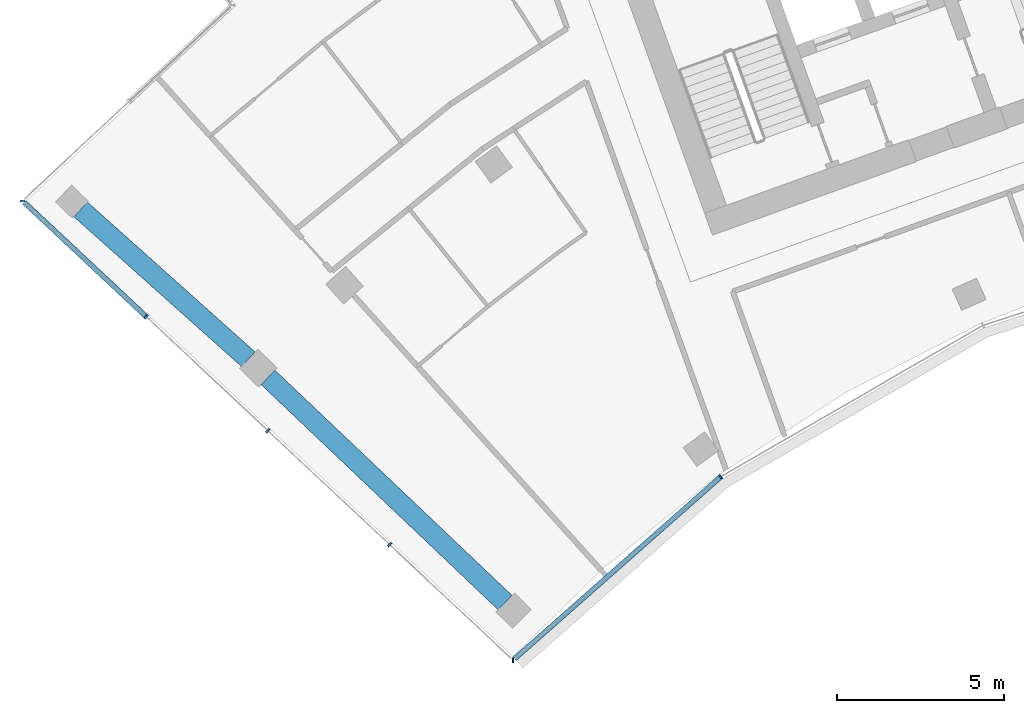
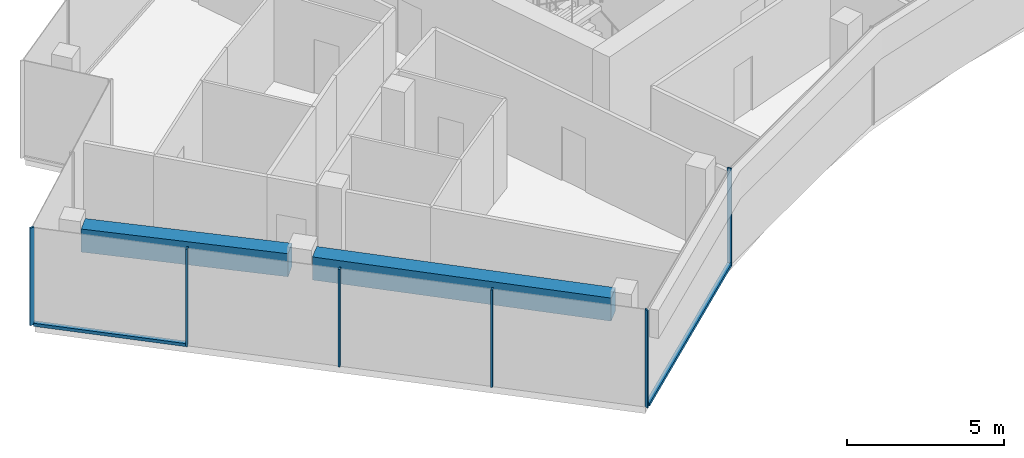
# One storey, part 2 of 18: 8 members, 2 beams, 2 elements without a shape of their own.
"""IFC4 building model written with IfcOpenShell, lengths in metres."""

from ifc_helpers import new_model, si_unit, direction, frame, origin, origin_2d, place, context, subcontext, project, spatial, rectangle, extrude, material, layer, layer_set, material_profile, profile_set, type_object, element, aggregate, save


model = new_model("IFC4")

# Units and contexts
model_context = context("Model", 3, precision=1e-05, world=origin(), true_north=direction((0.0, 1.0)))
body_context = subcontext(model_context, "Body", "Model", "MODEL_VIEW")
ifc_project = project(units=[si_unit("LENGTHUNIT", "METRE"), si_unit("AREAUNIT", "SQUARE_METRE"), si_unit("VOLUMEUNIT", "CUBIC_METRE"), si_unit("PLANEANGLEUNIT", "RADIAN"), si_unit("MASSUNIT", "GRAM", prefix="KILO")], contexts=[model_context])

# Site, building, storey
site_placement = place(None, origin())
site = spatial("IfcSite", under=ifc_project, at=site_placement, CompositionType="ELEMENT")
building_placement = place(site_placement, origin())
building = spatial("IfcBuilding", under=site, at=building_placement, Name="Stone Belt Terrace Tower", CompositionType="ELEMENT")
storey_placement = place(building_placement, frame((0.0, 0.0, 277.0)))
storey = spatial("IfcBuildingStorey", under=building, at=storey_placement, Name="L67", CompositionType="ELEMENT", Elevation=277.0)

# Curtain wall, members
ifc_material_1 = material(Name="Aluminium 6063-T6 anodised frame", Category="aluminium")
ifc_layer_1 = layer(ifc_material_1, 0.14990234375)
ifc_layer_set_1 = layer_set([ifc_layer_1], Name="CW-B unitised concave-face curtain wall")
curtain_wall_type_1 = type_object("IfcCurtainWallType", Name="CW-B unitised concave-face curtain wall", PredefinedType="NOTDEFINED", material=ifc_layer_set_1)
curtain_wall_1_placement = place(storey_placement, origin())
curtain_wall_1 = element("IfcCurtainWall", 1, at=curtain_wall_1_placement, inside=storey, type_object=curtain_wall_type_1, Name="CW-B concave face L67", PredefinedType="NOTDEFINED")
ifc_material_profile_1 = material_profile(ifc_material_1, rectangle(XDim=0.14990234375, YDim=0.050048828125, at=origin_2d()), Name="Aluminium 6063-T6 50x150")
ifc_profile_set_1 = profile_set([ifc_material_profile_1], Name="Aluminium 6063-T6 anodised frame")
member_type_1 = type_object("IfcMemberType", Name="CW-B mullion 50 x 150", PredefinedType="MULLION", material=ifc_profile_set_1)
member_1_placement = place(storey_placement, frame((-31.75244140625, 29.633056640625, 0.0), z_axis=(0.0, 0.0, 1.0), x_axis=(0.014681639593, 0.999892218921, 0.0)))
member_1 = element("IfcMember", 2, at=member_1_placement, type_object=member_type_1, Name="CW-B mullion 1", PredefinedType="MULLION", context=body_context, shape_type="SweptSolid", body=[
    extrude(rectangle(XDim=0.14990234375, YDim=0.050048828125, at=origin_2d()), origin(), (0.0, 0.0, 1.0), 3.800048828125),
])
member_2_placement = place(storey_placement, frame((-25.524658203125, 35.131103515625, 0.0), z_axis=(0.0, 0.0, 1.0), x_axis=(-0.583818854632, 0.811883947973, 0.0)))
member_2 = element("IfcMember", 3, at=member_2_placement, type_object=member_type_1, Name="CW-B mullion 2", PredefinedType="MULLION", context=body_context, shape_type="SweptSolid", body=[
    extrude(rectangle(XDim=0.14990234375, YDim=0.050048828125, at=origin_2d()), origin(), (0.0, 0.0, 1.0), 3.800048828125),
])
ifc_material_profile_2 = material_profile(ifc_material_1, rectangle(XDim=0.14990234375, YDim=0.1201171875, at=origin_2d()), Name="Aluminium 6063-T6 150x120")
ifc_profile_set_2 = profile_set([ifc_material_profile_2], Name="Aluminium 6063-T6 anodised frame")
member_type_2 = type_object("IfcMemberType", Name="CW-B transom 120 x 150", PredefinedType="USERDEFINED", material=ifc_profile_set_2)
member_3_placement = place(storey_placement, frame((-31.70068359375, 29.6787109375, 0.06005859375), z_axis=(0.749668527307, 0.661813492735, 0.0), x_axis=(-0.661813492735, 0.749668527307, 0.0)))
member_3 = element("IfcMember", 4, at=member_3_placement, type_object=member_type_2, Name="CW-B transom 1.1", ObjectType="TRANSOM", PredefinedType="USERDEFINED", context=body_context, shape_type="SweptSolid", body=[
    extrude(rectangle(XDim=0.14990234375, YDim=0.1201171875, at=origin_2d()), origin(), (0.0, 0.0, 1.0), 8.2060546875),
])
aggregate(curtain_wall_1, [member_1, member_2, member_3])

ifc_layer_2 = layer(ifc_material_1, 0.14990234375)
ifc_layer_set_2 = layer_set([ifc_layer_2], Name="CW-C stick curtain wall, horn ends and notches")
curtain_wall_type_2 = type_object("IfcCurtainWallType", Name="CW-C stick curtain wall, horn ends and notches", PredefinedType="NOTDEFINED", material=ifc_layer_set_2)
curtain_wall_2_placement = place(storey_placement, origin())
curtain_wall_2 = element("IfcCurtainWall", 5, at=curtain_wall_2_placement, inside=storey, type_object=curtain_wall_type_2, Name="CW-C end face L67", PredefinedType="NOTDEFINED")
ifc_material_profile_3 = material_profile(ifc_material_1, rectangle(XDim=0.14990234375, YDim=0.06005859375, at=origin_2d()), Name="Aluminium 6063-T6 60x150")
ifc_profile_set_3 = profile_set([ifc_material_profile_3], Name="Aluminium 6063-T6 anodised frame")
member_type_3 = type_object("IfcMemberType", Name="CW-C mullion 60 x 150", PredefinedType="MULLION", material=ifc_profile_set_3)
member_4_placement = place(storey_placement, frame((-46.458740234375, 43.405517578125, 0.0), z_axis=(0.0, 0.0, 1.0), x_axis=(0.999999447771, -0.00105093149, 0.0)))
member_4 = element("IfcMember", 6, at=member_4_placement, type_object=member_type_3, Name="CW-C mullion 1", PredefinedType="MULLION", context=body_context, shape_type="SweptSolid", body=[
    extrude(rectangle(XDim=0.14990234375, YDim=0.06005859375, at=origin_2d()), origin(), (0.0, 0.0, 1.0), 3.800048828125),
])
member_5_placement = place(storey_placement, frame((-42.750732421875, 39.932861328125, 0.0), z_axis=(0.0, 0.0, 1.0), x_axis=(0.683549434973, 0.729904219708, 0.0)))
member_5 = element("IfcMember", 7, at=member_5_placement, type_object=member_type_3, Name="CW-C mullion 2", PredefinedType="MULLION", context=body_context, shape_type="SweptSolid", body=[
    extrude(rectangle(XDim=0.14990234375, YDim=0.06005859375, at=origin_2d()), origin(), (0.0, 0.0, 1.0), 3.800048828125),
])
member_6_placement = place(storey_placement, frame((-39.10107421875, 36.51513671875, 0.0), z_axis=(0.0, 0.0, 1.0), x_axis=(0.683549434973, 0.729904219708, 0.0)))
member_6 = element("IfcMember", 8, at=member_6_placement, type_object=member_type_3, Name="CW-C mullion 3", PredefinedType="MULLION", context=body_context, shape_type="SweptSolid", body=[
    extrude(rectangle(XDim=0.14990234375, YDim=0.06005859375, at=origin_2d()), origin(), (0.0, 0.0, 1.0), 3.800048828125),
])
member_7_placement = place(storey_placement, frame((-35.45166015625, 33.097412109375, 0.0), z_axis=(0.0, 0.0, 1.0), x_axis=(0.683549434973, 0.729904219708, 0.0)))
member_7 = element("IfcMember", 9, at=member_7_placement, type_object=member_type_3, Name="CW-C mullion 4", PredefinedType="MULLION", context=body_context, shape_type="SweptSolid", body=[
    extrude(rectangle(XDim=0.14990234375, YDim=0.06005859375, at=origin_2d()), origin(), (0.0, 0.0, 1.0), 3.800048828125),
])
ifc_material_profile_4 = material_profile(ifc_material_1, rectangle(XDim=0.14990234375, YDim=0.1201171875, at=origin_2d()), Name="Aluminium 6063-T6 150x120")
ifc_profile_set_4 = profile_set([ifc_material_profile_4], Name="Aluminium 6063-T6 anodised frame")
member_type_4 = type_object("IfcMemberType", Name="CW-C transom 120 x 150", PredefinedType="USERDEFINED", material=ifc_profile_set_4)
member_8_placement = place(storey_placement, frame((-46.40380859375, 43.35400390625, 0.06005859375), z_axis=(0.729913558916, -0.683539462292, 0.0), x_axis=(0.683539462292, 0.729913558916, 0.0)))
member_8 = element("IfcMember", 10, at=member_8_placement, type_object=member_type_4, Name="CW-C transom 1.1", ObjectType="TRANSOM", PredefinedType="USERDEFINED", context=body_context, shape_type="SweptSolid", body=[
    extrude(rectangle(XDim=0.14990234375, YDim=0.1201171875, at=origin_2d()), origin(), (0.0, 0.0, 1.0), 4.97509765625),
])
aggregate(curtain_wall_2, [member_4, member_5, member_6, member_7, member_8])

# Beams
ifc_material_2 = material(Name="Concrete B60", Category="concrete")
ifc_material_profile_5 = material_profile(ifc_material_2, rectangle(XDim=0.60009765625, YDim=0.89990234375, at=origin_2d()), Name="RC 600x900")
ifc_profile_set_5 = profile_set([ifc_material_profile_5], Name="Concrete B60")
beam_type = type_object("IfcBeamType", Name="Edge beam RC 600x900 B60", PredefinedType="SPANDREL", material=ifc_profile_set_5)
beam_1_placement = place(storey_placement, frame((-31.98876953125, 31.35791015625, 3.030029296875), z_axis=(-0.72502367576, 0.688723942946, 0.0), x_axis=(-0.688723942946, -0.72502367576, 0.0)))
element("IfcBeam", 11, at=beam_1_placement, inside=storey, type_object=beam_type, Name="Edge beam L67 A P to Q", PredefinedType="SPANDREL", context=body_context, shape_type="SweptSolid", body=[
    extrude(rectangle(XDim=0.60009765625, YDim=0.89990234375, at=origin_2d()), origin(), (0.0, 0.0, 1.0), 9.80615234375),
])
beam_2_placement = place(storey_placement, frame((-39.68701171875, 38.65380859375, 3.030029296875), z_axis=(-0.745651125692, 0.666336550666, 0.0), x_axis=(-0.666336550666, -0.745651125692, 0.0)))
element("IfcBeam", 12, at=beam_2_placement, inside=storey, type_object=beam_type, Name="Edge beam L67 A Q to R", PredefinedType="SPANDREL", context=body_context, shape_type="SweptSolid", body=[
    extrude(rectangle(XDim=0.60009765625, YDim=0.89990234375, at=origin_2d()), origin(), (0.0, 0.0, 1.0), 6.744140625),
])

save(model, "model.ifc")
